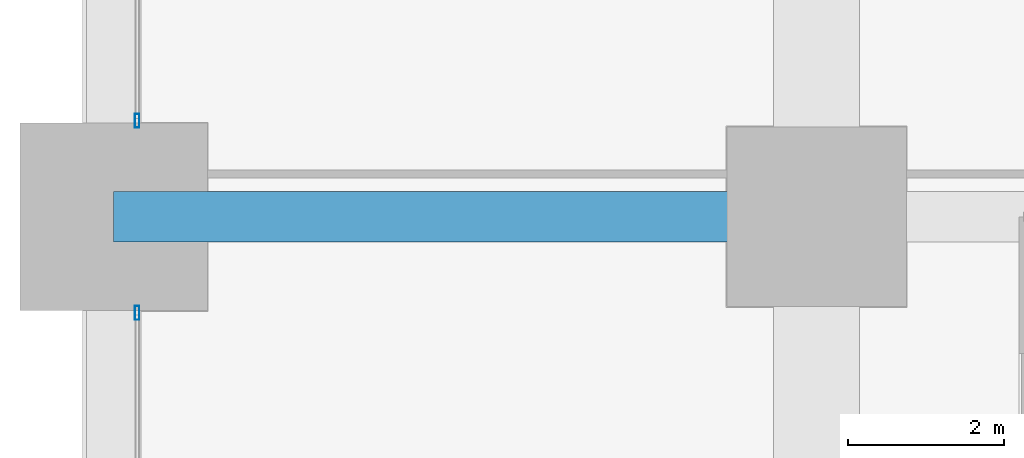
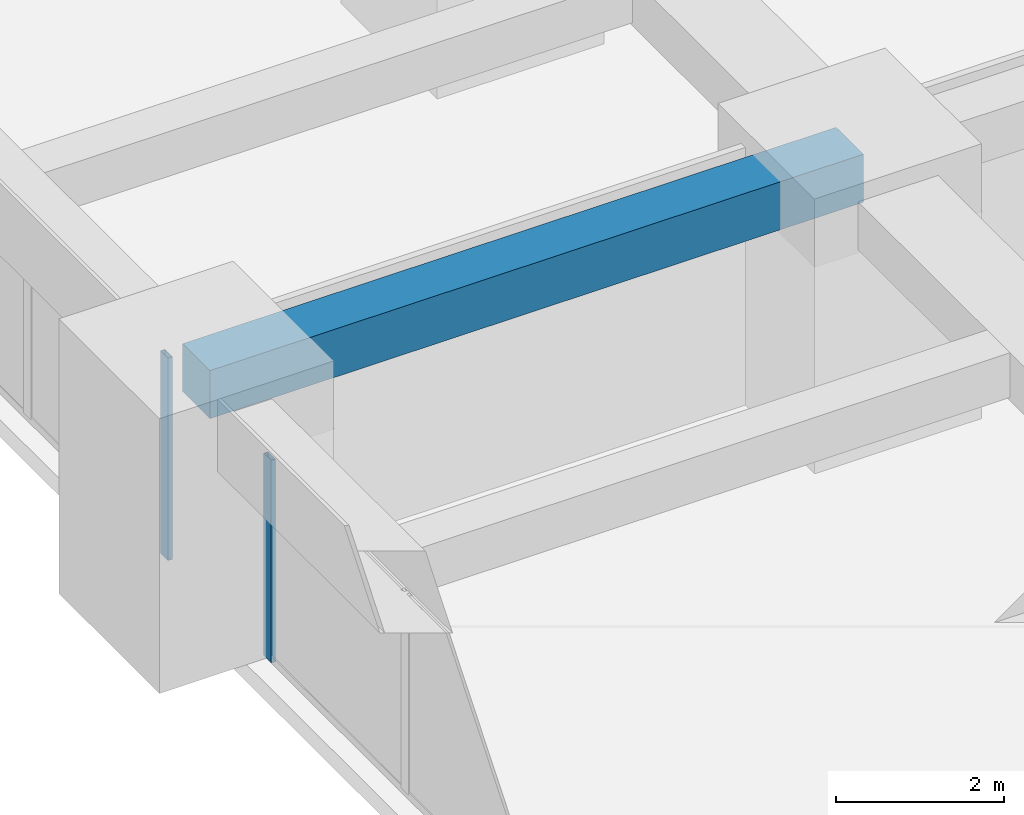
# One storey, part 23 of 45: 2 members, 1 beam, 2 elements without a shape of their own.
"""IFC4 building model written with IfcOpenShell, lengths in metres."""

import ifcopenshell
import ifcopenshell.guid

model = None  # the IFC model being written
_history = None  # IfcOwnerHistory: only IFC2X3 demands one
_inside = {}  # id of a spatial element -> (the spatial element, [elements in it])
_under = {}  # id of a project, library or spatial element -> (it, [spatial elements below it])
_declared = {}  # id of a project -> (the project, [libraries it declares])
_typed = {}  # id of a type object -> (the type object, [elements of that type])
_made_of = {}  # id of a material, layer set ... -> (it, [elements and type objects made of it])


def new_model(schema):
    """Start an empty IFC model of exactly this schema.

    Asked for "IFC4X3", IfcOpenShell would pick the latest addendum, in which some entities
    have other attributes; the version numbers below select the first issue.
    IFC2X3 requires an IfcOwnerHistory on every rooted entity: one is made here for all.
    """
    global model, _history
    if schema == "IFC4X3":
        model = ifcopenshell.file(schema_version=(4, 3, 0, 0))
    else:
        model = ifcopenshell.file(schema=schema)
    _inside.clear()
    _under.clear()
    _declared.clear()
    _typed.clear()
    _made_of.clear()
    _history = None
    if model.schema == "IFC2X3":
        org = make("IfcOrganization", Name="unknown")
        user = make(
            "IfcPersonAndOrganization",
            ThePerson=make("IfcPerson", FamilyName="unknown"),
            TheOrganization=org,
        )
        app = make(
            "IfcApplication",
            ApplicationDeveloper=org,
            Version="unknown",
            ApplicationFullName="unknown",
            ApplicationIdentifier="unknown",
        )
        _history = make(
            "IfcOwnerHistory",
            OwningUser=user,
            OwningApplication=app,
            ChangeAction="ADDED",
            CreationDate=0,
        )
    return model


def make(cls, **values):
    """One entity of the class cls with the attributes given. An attribute that is None is left unset."""
    return model.create_entity(
        cls, **{name: value for name, value in values.items() if value is not None}
    )


def rooted(cls, **values):
    """An entity with a GlobalId (a new one), such as an element, a storey or a relation."""
    return make(cls, GlobalId=ifcopenshell.guid.new(), OwnerHistory=_history, **values)


def si_unit(unit_type, name, prefix=None):
    """IfcSIUnit, for example si_unit("LENGTHUNIT", "METRE", prefix="MILLI")."""
    return make("IfcSIUnit", UnitType=unit_type, Prefix=prefix, Name=name)


def assignment(units):
    """IfcUnitAssignment: the units of a project."""
    return None if units is None else make("IfcUnitAssignment", Units=units)


def point(xyz):
    """IfcCartesianPoint."""
    return None if xyz is None else make("IfcCartesianPoint", Coordinates=xyz)


def direction(xyz):
    """IfcDirection."""
    return None if xyz is None else make("IfcDirection", DirectionRatios=xyz)


def frame(location, z_axis=None, x_axis=None):
    """IfcAxis2Placement3D, a coordinate frame: its origin and axes. An axis left out is left unset."""
    return make(
        "IfcAxis2Placement3D",
        Location=point(location),
        Axis=direction(z_axis),
        RefDirection=direction(x_axis),
    )


def frame_2d(location, x_axis=None):
    """IfcAxis2Placement2D, a coordinate frame in the plane: its origin and x axis."""
    return make(
        "IfcAxis2Placement2D", Location=point(location), RefDirection=direction(x_axis)
    )


def origin():
    """The frame at (0, 0, 0) with its axes left unset."""
    return frame((0.0, 0.0, 0.0))


def origin_2d():
    """The frame at (0, 0) in the plane with its x axis left unset."""
    return frame_2d((0.0, 0.0))


def place(relative_to, where):
    """IfcLocalPlacement: puts the frame where relative to a parent placement (None: the world)."""
    return make(
        "IfcLocalPlacement", PlacementRelTo=relative_to, RelativePlacement=where
    )


def context(
    kind, dimensions, precision=None, world=None, true_north=None, identifier=None
):
    """IfcGeometricRepresentationContext, for example the 3D "Model" context."""
    return make(
        "IfcGeometricRepresentationContext",
        ContextIdentifier=identifier,
        ContextType=kind,
        CoordinateSpaceDimension=dimensions,
        Precision=precision,
        WorldCoordinateSystem=world,
        TrueNorth=true_north,
    )


def subcontext(parent, identifier, kind, view, scale=None):
    """IfcGeometricRepresentationSubContext, for example "Body" below "Model"."""
    return make(
        "IfcGeometricRepresentationSubContext",
        ContextIdentifier=identifier,
        ContextType=kind,
        ParentContext=parent,
        TargetScale=scale,
        TargetView=view,
    )


def project(units=None, contexts=None):
    """IfcProject with its units and contexts."""
    return rooted(
        "IfcProject",
        Name="project",
        RepresentationContexts=contexts,
        UnitsInContext=assignment(units),
    )


def spatial(cls, under=None, at=None, **own):
    """A site, building, storey or space (cls), placed at a placement, below another one or the project."""
    s = rooted(cls, ObjectPlacement=at, **own)
    if under is not None:
        _under.setdefault(under.id(), (under, []))[1].append(s)
    return s


def profile(cls, at=None, kind="AREA", **sizes):
    """A parametric profile (cls). Its sizes go by their IFC names, for example OverallWidth=200.0."""
    return make(cls, ProfileType=kind, Position=at, **sizes)


def rectangle(**sizes):
    """IfcRectangleProfileDef."""
    return profile("IfcRectangleProfileDef", **sizes)


def hollow_rectangle(**sizes):
    """IfcRectangleHollowProfileDef."""
    return profile("IfcRectangleHollowProfileDef", **sizes)


def extrude(swept, where, along, depth):
    """IfcExtrudedAreaSolid: the profile swept, set in the frame where, extruded along a direction by depth."""
    return make(
        "IfcExtrudedAreaSolid",
        SweptArea=swept,
        Position=where,
        ExtrudedDirection=direction(along),
        Depth=depth,
    )


def shape(context_of_items, identifier, shape_type, items):
    """IfcShapeRepresentation: the items that make up one representation, for example the "Body"."""
    return make(
        "IfcShapeRepresentation",
        ContextOfItems=context_of_items,
        RepresentationIdentifier=identifier,
        RepresentationType=shape_type,
        Items=items,
    )


def material(Name=None, Category=None):
    """IfcMaterial."""
    return make("IfcMaterial", Name=Name, Category=Category)


def material_profile(
    of_material, cross_section, Name=None, Category=None, Priority=None
):
    """IfcMaterialProfile: a cross section and its material."""
    return make(
        "IfcMaterialProfile",
        Name=Name,
        Material=of_material,
        Profile=cross_section,
        Priority=Priority,
        Category=Category,
    )


def profile_set(profiles, Name=None, composite=None):
    """IfcMaterialProfileSet."""
    return make(
        "IfcMaterialProfileSet",
        Name=Name,
        MaterialProfiles=profiles,
        CompositeProfile=composite,
    )


def made_of(thing, what):
    """Note that an element or type object is made of a material, layer set ...; save() writes the relation."""
    if what is not None:
        _made_of.setdefault(what.id(), (what, []))[1].append(thing)
    return thing


def type_object(cls, material=None, **own):
    """A type object (cls), such as IfcWallType, which elements share."""
    return made_of(rooted(cls, **own), material)


def element(
    cls,
    number,
    at=None,
    inside=None,
    cuts=None,
    type_object=None,
    material=None,
    context=None,
    identifier="Body",
    shape_type=None,
    held_by="IfcProductDefinitionShape",
    body=None,
    shapes=None,
    **own,
):
    """One element of the class cls, such as IfcWall. Its Tag is "e" and its number.

    at: its placement. inside: the storey or other place that contains it. cuts: it is an
    opening in that element (IfcRelVoidsElement). A single representation is given by context,
    identifier, shape_type and body (its items); several are given by shapes. held_by: the class
    of the entity that holds the representations. save() writes the other relations.
    """
    e = rooted(cls, Tag="e%d" % number, ObjectPlacement=at, **own)
    if body is not None:
        shapes = [shape(context, identifier, shape_type, body)]
    if shapes is not None:
        e.Representation = make(held_by, Representations=shapes)
    if inside is not None:
        _inside.setdefault(inside.id(), (inside, []))[1].append(e)
    if cuts is not None:
        rooted(
            "IfcRelVoidsElement", RelatingBuildingElement=cuts, RelatedOpeningElement=e
        )
    if type_object is not None:
        _typed.setdefault(type_object.id(), (type_object, []))[1].append(e)
    return made_of(e, material)


def aggregate(whole, parts):
    """IfcRelAggregates: a whole, such as a stair, and the parts it consists of."""
    return rooted("IfcRelAggregates", RelatingObject=whole, RelatedObjects=parts)


def save(model, path):
    """Write the relations noted so far, then the file.

    IfcRelAggregates (storeys below a building ...), IfcRelContainedInSpatialStructure (elements
    in a storey), IfcRelDefinesByType, IfcRelAssociatesMaterial and IfcRelDeclares: one each for
    every whole, place, type object, material and project.
    """
    for whole, parts in _under.values():
        aggregate(whole, parts)
    for where, things in _inside.values():
        rooted(
            "IfcRelContainedInSpatialStructure",
            RelatedElements=things,
            RelatingStructure=where,
        )
    for kind, things in _typed.values():
        rooted("IfcRelDefinesByType", RelatedObjects=things, RelatingType=kind)
    for what, things in _made_of.values():
        rooted("IfcRelAssociatesMaterial", RelatedObjects=things, RelatingMaterial=what)
    for by, libraries in _declared.values():
        rooted("IfcRelDeclares", RelatingContext=by, RelatedDefinitions=libraries)
    model.write(path)


model = new_model("IFC4")

# Units and contexts
model_context = context("Model", 3, precision=1e-05, world=origin(), true_north=direction((0.0, 1.0)))
body_context = subcontext(model_context, "Body", "Model", "MODEL_VIEW")
ifc_project = project(units=[si_unit("LENGTHUNIT", "METRE"), si_unit("AREAUNIT", "SQUARE_METRE"), si_unit("VOLUMEUNIT", "CUBIC_METRE"), si_unit("PLANEANGLEUNIT", "RADIAN"), si_unit("MASSUNIT", "GRAM", prefix="KILO")], contexts=[model_context])

# Site, building, storey
site_placement = place(None, origin())
site = spatial("IfcSite", under=ifc_project, at=site_placement, CompositionType="ELEMENT")
building_placement = place(site_placement, origin())
building = spatial("IfcBuilding", under=site, at=building_placement, Name="Zorevar Civic Tower", CompositionType="ELEMENT")
storey_placement = place(building_placement, frame((0.0, 0.0, 47.800048828125)))
storey = spatial("IfcBuildingStorey", under=building, at=storey_placement, Name="L11", CompositionType="ELEMENT", Elevation=47.800048828125)

# Beam
ifc_material_1 = material(Name="Concrete C50/60", Category="concrete")
ifc_material_profile_1 = material_profile(ifc_material_1, rectangle(XDim=0.64990234375, YDim=0.699951171875, at=origin_2d()), Name="RC 650x700")
ifc_profile_set_1 = profile_set([ifc_material_profile_1], Name="Concrete C50/60")
beam_type = type_object("IfcBeamType", Name="Beam RC 650x700", PredefinedType="BEAM", material=ifc_profile_set_1)
beam_placement = place(storey_placement, frame((0.0, 36.0, 3.39990234375), z_axis=(1.0, 0.0, 0.0), x_axis=(0.0, 1.0, 0.0)))
element("IfcBeam", 1, at=beam_placement, inside=storey, type_object=beam_type, Name="Girder L12", PredefinedType="BEAM", context=body_context, shape_type="SweptSolid", body=[
    extrude(rectangle(XDim=0.64990234375, YDim=0.699951171875, at=origin_2d()), origin(), (0.0, 0.0, 1.0), 9.0),
])

# Curtain wall, member
ifc_material_2 = material(Name="Dark grey solar-control glass in black aluminium frame", Category="aluminium")
curtain_wall_type = type_object("IfcCurtainWallType", Name="Curtain wall CW2 low zone", PredefinedType="NOTDEFINED", material=ifc_material_2)
curtain_wall_1_placement = place(storey_placement, origin())
curtain_wall_1 = element("IfcCurtainWall", 2, at=curtain_wall_1_placement, inside=storey, type_object=curtain_wall_type, Name="CW2 L11", PredefinedType="NOTDEFINED")
ifc_material_3 = material(Name="Aluminium, black anodised", Category="aluminium")
ifc_material_profile_2 = material_profile(ifc_material_3, hollow_rectangle(XDim=0.06005859375, YDim=0.179931640625, WallThickness=0.00390625, at=origin_2d()), Name="AL 180x60x4")
ifc_profile_set_2 = profile_set([ifc_material_profile_2], Name="Aluminium, black anodised")
member_type = type_object("IfcMemberType", Name="CW2 mullion AL 180x60x4", PredefinedType="MULLION", material=ifc_profile_set_2)
member_1_placement = place(storey_placement, frame((0.300048828125, 34.77001953125, 0.0), z_axis=(0.0, 0.0, 1.0), x_axis=(-1.0, 0.0, 0.0)))
member_1 = element("IfcMember", 3, at=member_1_placement, type_object=member_type, Name="CW2 mullion 3", PredefinedType="MULLION", context=body_context, shape_type="SweptSolid", body=[
    extrude(hollow_rectangle(XDim=0.06005859375, YDim=0.179931640625, WallThickness=0.00390625, at=origin_2d()), origin(), (0.0, 0.0, 1.0), 2.949951171875),
])
aggregate(curtain_wall_1, [member_1])

curtain_wall_2_placement = place(storey_placement, origin())
curtain_wall_2 = element("IfcCurtainWall", 4, at=curtain_wall_2_placement, inside=storey, type_object=curtain_wall_type, Name="CW2 L11", PredefinedType="NOTDEFINED")
member_2_placement = place(storey_placement, frame((0.300048828125, 37.22998046875, 0.0), z_axis=(0.0, 0.0, 1.0), x_axis=(-1.0, 0.0, 0.0)))
member_2 = element("IfcMember", 5, at=member_2_placement, type_object=member_type, Name="CW2 mullion 1", PredefinedType="MULLION", context=body_context, shape_type="SweptSolid", body=[
    extrude(hollow_rectangle(XDim=0.06005859375, YDim=0.179931640625, WallThickness=0.00390625, at=origin_2d()), origin(), (0.0, 0.0, 1.0), 2.949951171875),
])
aggregate(curtain_wall_2, [member_2])

save(model, "model.ifc")
